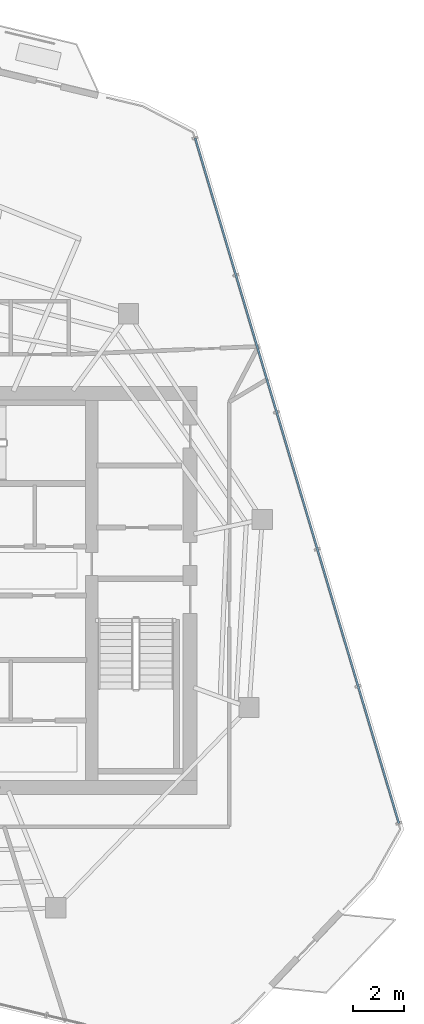
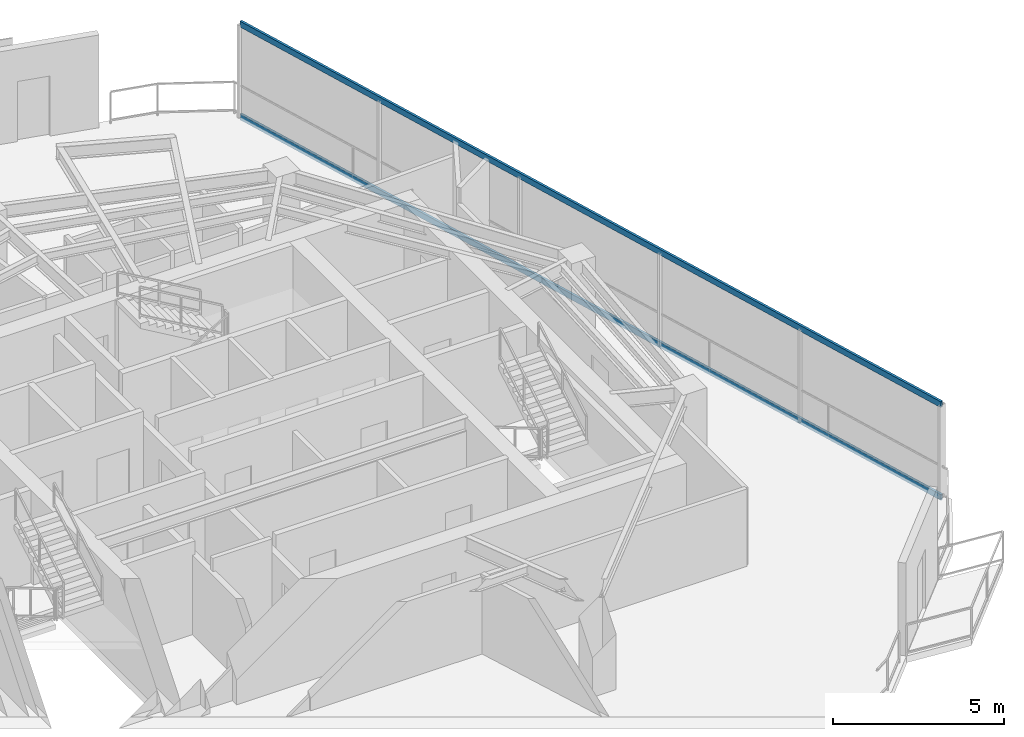
# One storey, part 11 of 18: 2 members, 1 element without a shape of its own.
"""IFC4 building model written with IfcOpenShell, lengths in metres."""

from ifc_helpers import new_model, si_unit, direction, frame, origin, origin_2d, place, context, subcontext, project, spatial, hollow_rectangle, extrude, material, layer, layer_set, material_profile, profile_set, type_object, element, aggregate, save


model = new_model("IFC4")

# Units and contexts
model_context = context("Model", 3, precision=1e-05, world=origin(), true_north=direction((0.0, 1.0)))
body_context = subcontext(model_context, "Body", "Model", "MODEL_VIEW")
ifc_project = project(units=[si_unit("LENGTHUNIT", "METRE"), si_unit("AREAUNIT", "SQUARE_METRE"), si_unit("VOLUMEUNIT", "CUBIC_METRE"), si_unit("PLANEANGLEUNIT", "RADIAN"), si_unit("MASSUNIT", "GRAM", prefix="KILO")], contexts=[model_context])

# Site, building, storey
site_placement = place(None, origin())
site = spatial("IfcSite", under=ifc_project, at=site_placement, CompositionType="ELEMENT")
building_placement = place(site_placement, origin())
building = spatial("IfcBuilding", under=site, at=building_placement, Name="Qarnah Convention Tower", CompositionType="ELEMENT")
storey_placement = place(building_placement, frame((0.0, 0.0, 242.699951171875)))
storey = spatial("IfcBuildingStorey", under=building, at=storey_placement, Name="L65", CompositionType="ELEMENT", Elevation=242.699951171875)

# Curtain wall, members
ifc_material_1 = material(Name="Tempered Low-E dark glass", Category="glass")
ifc_layer = layer(ifc_material_1, 0.176025390625)
ifc_layer_set = layer_set([ifc_layer], Name="Tempered Low-E dark glass")
curtain_wall_type = type_object("IfcCurtainWallType", Name="CWS-05", PredefinedType="NOTDEFINED", material=ifc_layer_set)
curtain_wall_placement = place(storey_placement, origin())
curtain_wall = element("IfcCurtainWall", 1, at=curtain_wall_placement, inside=storey, type_object=curtain_wall_type, Name="L65 unitised curtain wall CW-L65-F2", PredefinedType="NOTDEFINED")
ifc_material_2 = material(Name="Black anodised aluminium", Category="aluminium")
ifc_material_profile = material_profile(ifc_material_2, hollow_rectangle(XDim=0.080078125, YDim=0.2099609375, WallThickness=0.0048828125, at=origin_2d()), Name="TRN-80X210")
ifc_profile_set = profile_set([ifc_material_profile], Name="Black anodised aluminium")
member_type = type_object("IfcMemberType", Name="TRN-T5", PredefinedType="USERDEFINED", material=ifc_profile_set)
member_1_placement = place(storey_placement, frame((47.800048828125, 44.31591796875, 0.0), z_axis=(0.285020391139, -0.958521453404, 0.0), x_axis=(0.958521453404, 0.285020391139, 0.0)))
member_1 = element("IfcMember", 2, at=member_1_placement, type_object=member_type, Name="CW-L65-F2 transom 1", ObjectType="TRANSOM", PredefinedType="USERDEFINED", context=body_context, shape_type="SweptSolid", body=[
    extrude(hollow_rectangle(XDim=0.080078125, YDim=0.2099609375, WallThickness=0.0048828125, at=origin_2d()), origin(), (0.0, 0.0, 1.0), 28.302978515625),
])
member_2_placement = place(storey_placement, frame((47.800048828125, 44.31591796875, 3.320068359375), z_axis=(0.285020391139, -0.958521453404, 0.0), x_axis=(0.958521453404, 0.285020391139, 0.0)))
member_2 = element("IfcMember", 3, at=member_2_placement, type_object=member_type, Name="CW-L65-F2 transom 2", ObjectType="TRANSOM", PredefinedType="USERDEFINED", context=body_context, shape_type="SweptSolid", body=[
    extrude(hollow_rectangle(XDim=0.080078125, YDim=0.2099609375, WallThickness=0.0048828125, at=origin_2d()), origin(), (0.0, 0.0, 1.0), 28.302978515625),
])
aggregate(curtain_wall, [member_1, member_2])

save(model, "model.ifc")
